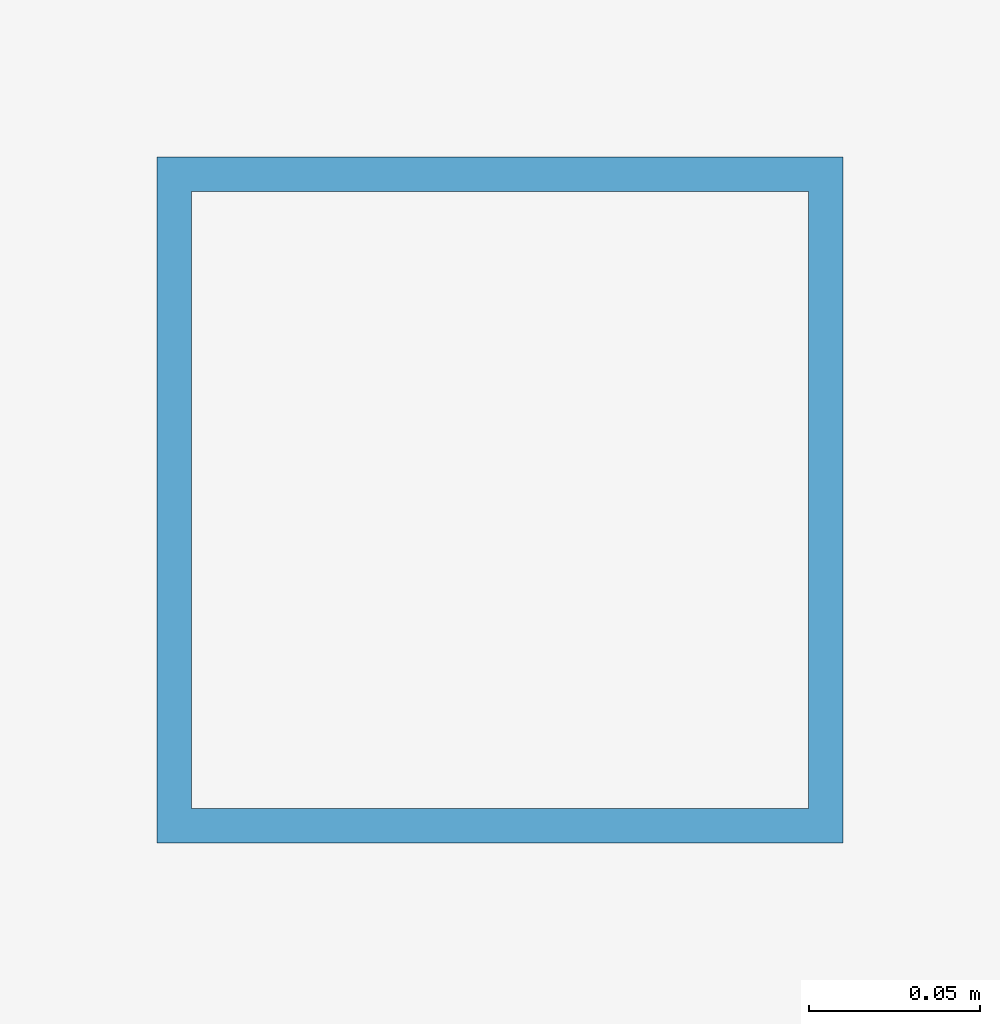
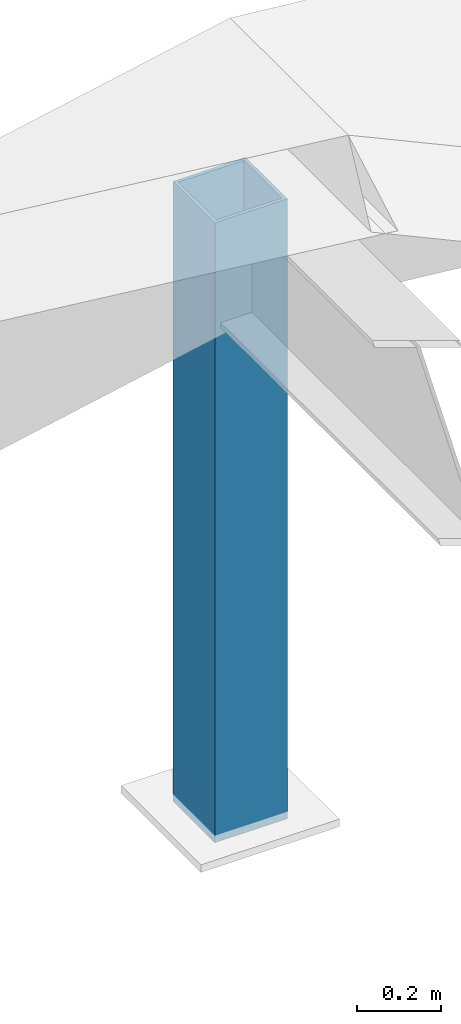
# One storey, part 12 of 93: 1 column.
"""IFC4 building model written with IfcOpenShell, lengths in metres."""

import ifcopenshell
import ifcopenshell.guid

model = None  # the IFC model being written
_history = None  # IfcOwnerHistory: only IFC2X3 demands one
_inside = {}  # id of a spatial element -> (the spatial element, [elements in it])
_under = {}  # id of a project, library or spatial element -> (it, [spatial elements below it])
_declared = {}  # id of a project -> (the project, [libraries it declares])
_typed = {}  # id of a type object -> (the type object, [elements of that type])
_made_of = {}  # id of a material, layer set ... -> (it, [elements and type objects made of it])


def new_model(schema):
    """Start an empty IFC model of exactly this schema.

    Asked for "IFC4X3", IfcOpenShell would pick the latest addendum, in which some entities
    have other attributes; the version numbers below select the first issue.
    IFC2X3 requires an IfcOwnerHistory on every rooted entity: one is made here for all.
    """
    global model, _history
    if schema == "IFC4X3":
        model = ifcopenshell.file(schema_version=(4, 3, 0, 0))
    else:
        model = ifcopenshell.file(schema=schema)
    _inside.clear()
    _under.clear()
    _declared.clear()
    _typed.clear()
    _made_of.clear()
    _history = None
    if model.schema == "IFC2X3":
        org = make("IfcOrganization", Name="unknown")
        user = make(
            "IfcPersonAndOrganization",
            ThePerson=make("IfcPerson", FamilyName="unknown"),
            TheOrganization=org,
        )
        app = make(
            "IfcApplication",
            ApplicationDeveloper=org,
            Version="unknown",
            ApplicationFullName="unknown",
            ApplicationIdentifier="unknown",
        )
        _history = make(
            "IfcOwnerHistory",
            OwningUser=user,
            OwningApplication=app,
            ChangeAction="ADDED",
            CreationDate=0,
        )
    return model


def make(cls, **values):
    """One entity of the class cls with the attributes given. An attribute that is None is left unset."""
    return model.create_entity(
        cls, **{name: value for name, value in values.items() if value is not None}
    )


def rooted(cls, **values):
    """An entity with a GlobalId (a new one), such as an element, a storey or a relation."""
    return make(cls, GlobalId=ifcopenshell.guid.new(), OwnerHistory=_history, **values)


def si_unit(unit_type, name, prefix=None):
    """IfcSIUnit, for example si_unit("LENGTHUNIT", "METRE", prefix="MILLI")."""
    return make("IfcSIUnit", UnitType=unit_type, Prefix=prefix, Name=name)


def assignment(units):
    """IfcUnitAssignment: the units of a project."""
    return None if units is None else make("IfcUnitAssignment", Units=units)


def point(xyz):
    """IfcCartesianPoint."""
    return None if xyz is None else make("IfcCartesianPoint", Coordinates=xyz)


def direction(xyz):
    """IfcDirection."""
    return None if xyz is None else make("IfcDirection", DirectionRatios=xyz)


def frame(location, z_axis=None, x_axis=None):
    """IfcAxis2Placement3D, a coordinate frame: its origin and axes. An axis left out is left unset."""
    return make(
        "IfcAxis2Placement3D",
        Location=point(location),
        Axis=direction(z_axis),
        RefDirection=direction(x_axis),
    )


def frame_2d(location, x_axis=None):
    """IfcAxis2Placement2D, a coordinate frame in the plane: its origin and x axis."""
    return make(
        "IfcAxis2Placement2D", Location=point(location), RefDirection=direction(x_axis)
    )


def origin():
    """The frame at (0, 0, 0) with its axes left unset."""
    return frame((0.0, 0.0, 0.0))


def origin_2d():
    """The frame at (0, 0) in the plane with its x axis left unset."""
    return frame_2d((0.0, 0.0))


def place(relative_to, where):
    """IfcLocalPlacement: puts the frame where relative to a parent placement (None: the world)."""
    return make(
        "IfcLocalPlacement", PlacementRelTo=relative_to, RelativePlacement=where
    )


def context(
    kind, dimensions, precision=None, world=None, true_north=None, identifier=None
):
    """IfcGeometricRepresentationContext, for example the 3D "Model" context."""
    return make(
        "IfcGeometricRepresentationContext",
        ContextIdentifier=identifier,
        ContextType=kind,
        CoordinateSpaceDimension=dimensions,
        Precision=precision,
        WorldCoordinateSystem=world,
        TrueNorth=true_north,
    )


def subcontext(parent, identifier, kind, view, scale=None):
    """IfcGeometricRepresentationSubContext, for example "Body" below "Model"."""
    return make(
        "IfcGeometricRepresentationSubContext",
        ContextIdentifier=identifier,
        ContextType=kind,
        ParentContext=parent,
        TargetScale=scale,
        TargetView=view,
    )


def project(units=None, contexts=None):
    """IfcProject with its units and contexts."""
    return rooted(
        "IfcProject",
        Name="project",
        RepresentationContexts=contexts,
        UnitsInContext=assignment(units),
    )


def spatial(cls, under=None, at=None, **own):
    """A site, building, storey or space (cls), placed at a placement, below another one or the project."""
    s = rooted(cls, ObjectPlacement=at, **own)
    if under is not None:
        _under.setdefault(under.id(), (under, []))[1].append(s)
    return s


def profile(cls, at=None, kind="AREA", **sizes):
    """A parametric profile (cls). Its sizes go by their IFC names, for example OverallWidth=200.0."""
    return make(cls, ProfileType=kind, Position=at, **sizes)


def hollow_rectangle(**sizes):
    """IfcRectangleHollowProfileDef."""
    return profile("IfcRectangleHollowProfileDef", **sizes)


def extrude(swept, where, along, depth):
    """IfcExtrudedAreaSolid: the profile swept, set in the frame where, extruded along a direction by depth."""
    return make(
        "IfcExtrudedAreaSolid",
        SweptArea=swept,
        Position=where,
        ExtrudedDirection=direction(along),
        Depth=depth,
    )


def shape(context_of_items, identifier, shape_type, items):
    """IfcShapeRepresentation: the items that make up one representation, for example the "Body"."""
    return make(
        "IfcShapeRepresentation",
        ContextOfItems=context_of_items,
        RepresentationIdentifier=identifier,
        RepresentationType=shape_type,
        Items=items,
    )


def material(Name=None, Category=None):
    """IfcMaterial."""
    return make("IfcMaterial", Name=Name, Category=Category)


def material_profile(
    of_material, cross_section, Name=None, Category=None, Priority=None
):
    """IfcMaterialProfile: a cross section and its material."""
    return make(
        "IfcMaterialProfile",
        Name=Name,
        Material=of_material,
        Profile=cross_section,
        Priority=Priority,
        Category=Category,
    )


def profile_set(profiles, Name=None, composite=None):
    """IfcMaterialProfileSet."""
    return make(
        "IfcMaterialProfileSet",
        Name=Name,
        MaterialProfiles=profiles,
        CompositeProfile=composite,
    )


def made_of(thing, what):
    """Note that an element or type object is made of a material, layer set ...; save() writes the relation."""
    if what is not None:
        _made_of.setdefault(what.id(), (what, []))[1].append(thing)
    return thing


def type_object(cls, material=None, **own):
    """A type object (cls), such as IfcWallType, which elements share."""
    return made_of(rooted(cls, **own), material)


def element(
    cls,
    number,
    at=None,
    inside=None,
    cuts=None,
    type_object=None,
    material=None,
    context=None,
    identifier="Body",
    shape_type=None,
    held_by="IfcProductDefinitionShape",
    body=None,
    shapes=None,
    **own,
):
    """One element of the class cls, such as IfcWall. Its Tag is "e" and its number.

    at: its placement. inside: the storey or other place that contains it. cuts: it is an
    opening in that element (IfcRelVoidsElement). A single representation is given by context,
    identifier, shape_type and body (its items); several are given by shapes. held_by: the class
    of the entity that holds the representations. save() writes the other relations.
    """
    e = rooted(cls, Tag="e%d" % number, ObjectPlacement=at, **own)
    if body is not None:
        shapes = [shape(context, identifier, shape_type, body)]
    if shapes is not None:
        e.Representation = make(held_by, Representations=shapes)
    if inside is not None:
        _inside.setdefault(inside.id(), (inside, []))[1].append(e)
    if cuts is not None:
        rooted(
            "IfcRelVoidsElement", RelatingBuildingElement=cuts, RelatedOpeningElement=e
        )
    if type_object is not None:
        _typed.setdefault(type_object.id(), (type_object, []))[1].append(e)
    return made_of(e, material)


def aggregate(whole, parts):
    """IfcRelAggregates: a whole, such as a stair, and the parts it consists of."""
    return rooted("IfcRelAggregates", RelatingObject=whole, RelatedObjects=parts)


def save(model, path):
    """Write the relations noted so far, then the file.

    IfcRelAggregates (storeys below a building ...), IfcRelContainedInSpatialStructure (elements
    in a storey), IfcRelDefinesByType, IfcRelAssociatesMaterial and IfcRelDeclares: one each for
    every whole, place, type object, material and project.
    """
    for whole, parts in _under.values():
        aggregate(whole, parts)
    for where, things in _inside.values():
        rooted(
            "IfcRelContainedInSpatialStructure",
            RelatedElements=things,
            RelatingStructure=where,
        )
    for kind, things in _typed.values():
        rooted("IfcRelDefinesByType", RelatedObjects=things, RelatingType=kind)
    for what, things in _made_of.values():
        rooted("IfcRelAssociatesMaterial", RelatedObjects=things, RelatingMaterial=what)
    for by, libraries in _declared.values():
        rooted("IfcRelDeclares", RelatingContext=by, RelatedDefinitions=libraries)
    model.write(path)


model = new_model("IFC4")

# Units and contexts
model_context = context("Model", 3, precision=1e-05, world=origin(), true_north=direction((0.0, 1.0)))
body_context = subcontext(model_context, "Body", "Model", "MODEL_VIEW")
ifc_project = project(units=[si_unit("LENGTHUNIT", "METRE"), si_unit("AREAUNIT", "SQUARE_METRE"), si_unit("VOLUMEUNIT", "CUBIC_METRE"), si_unit("PLANEANGLEUNIT", "RADIAN"), si_unit("MASSUNIT", "GRAM", prefix="KILO")], contexts=[model_context])

# Site, building, storey
site_placement = place(None, origin())
site = spatial("IfcSite", under=ifc_project, at=site_placement, CompositionType="ELEMENT")
building_placement = place(site_placement, origin())
building = spatial("IfcBuilding", under=site, at=building_placement, Name="Vourika Railside Aquatics Centre", CompositionType="ELEMENT")
storey_placement = place(building_placement, frame((0.0, 0.0, 21.89990234375)))
storey = spatial("IfcBuildingStorey", under=building, at=storey_placement, Name="Roof", CompositionType="ELEMENT", Elevation=21.89990234375)

# Column
ifc_material = material(Name="Steel S355J2", Category="steel")
ifc_material_profile = material_profile(ifc_material, hollow_rectangle(XDim=0.199951171875, YDim=0.199951171875, WallThickness=0.010009765625, at=origin_2d()), Name="SHS 200x200x10")
ifc_profile_set = profile_set([ifc_material_profile], Name="Steel S355J2")
column_type = type_object("IfcColumnType", Name="COL-STL-SHS200", PredefinedType="COLUMN", material=ifc_profile_set)
column_placement = place(storey_placement, frame((150.0, 92.0, -8.39990234375), z_axis=(0.0, 0.0, 1.0), x_axis=(1.0, 0.0, 0.0)))
element("IfcColumn", 1, at=column_placement, inside=storey, type_object=column_type, Name="Foyer Canopy Ridge Post (150,92)", PredefinedType="COLUMN", context=body_context, shape_type="SweptSolid", body=[
    extrude(hollow_rectangle(XDim=0.199951171875, YDim=0.199951171875, WallThickness=0.010009765625, at=origin_2d()), origin(), (0.0, 0.0, 1.0), 1.800048828125),
])

save(model, "model.ifc")
